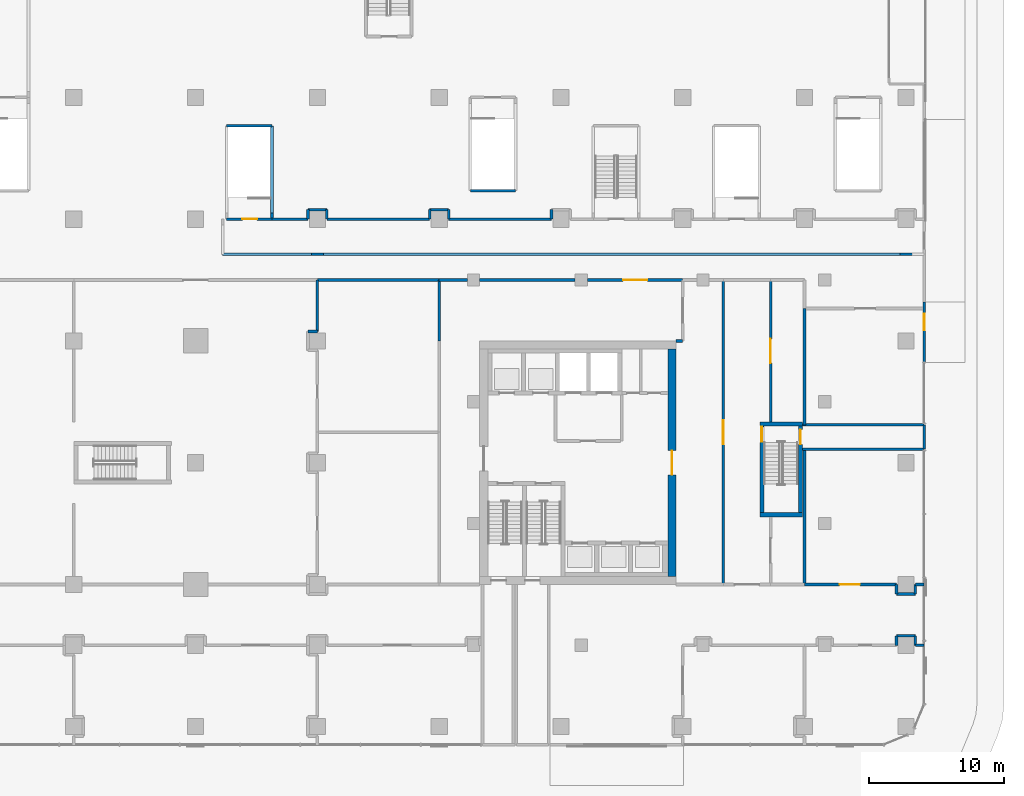
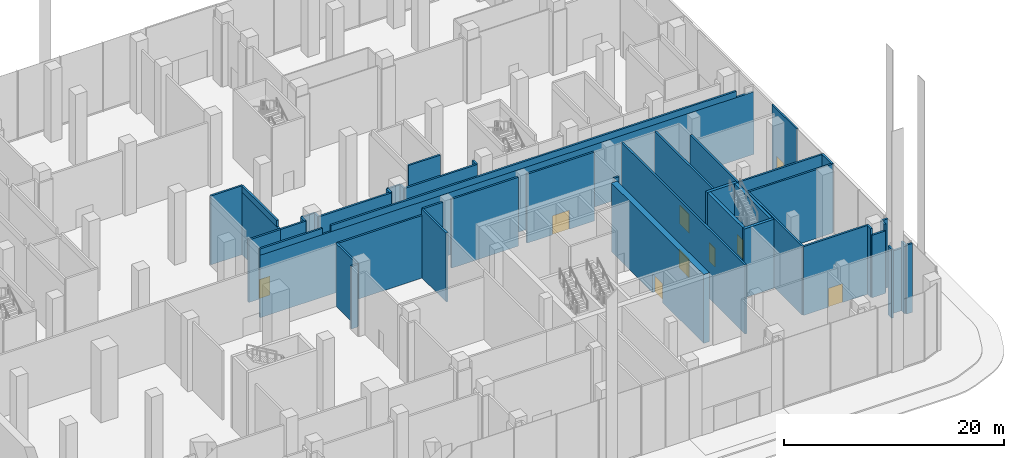
# One storey, part 23 of 42: 48 walls, 9 doors, 9 openings.
"""IFC4 building model written with IfcOpenShell, lengths in metres."""

import ifcopenshell
import ifcopenshell.guid

model = None  # the IFC model being written
_history = None  # IfcOwnerHistory: only IFC2X3 demands one
_inside = {}  # id of a spatial element -> (the spatial element, [elements in it])
_under = {}  # id of a project, library or spatial element -> (it, [spatial elements below it])
_declared = {}  # id of a project -> (the project, [libraries it declares])
_typed = {}  # id of a type object -> (the type object, [elements of that type])
_made_of = {}  # id of a material, layer set ... -> (it, [elements and type objects made of it])


def new_model(schema):
    """Start an empty IFC model of exactly this schema.

    Asked for "IFC4X3", IfcOpenShell would pick the latest addendum, in which some entities
    have other attributes; the version numbers below select the first issue.
    IFC2X3 requires an IfcOwnerHistory on every rooted entity: one is made here for all.
    """
    global model, _history
    if schema == "IFC4X3":
        model = ifcopenshell.file(schema_version=(4, 3, 0, 0))
    else:
        model = ifcopenshell.file(schema=schema)
    _inside.clear()
    _under.clear()
    _declared.clear()
    _typed.clear()
    _made_of.clear()
    _history = None
    if model.schema == "IFC2X3":
        org = make("IfcOrganization", Name="unknown")
        user = make(
            "IfcPersonAndOrganization",
            ThePerson=make("IfcPerson", FamilyName="unknown"),
            TheOrganization=org,
        )
        app = make(
            "IfcApplication",
            ApplicationDeveloper=org,
            Version="unknown",
            ApplicationFullName="unknown",
            ApplicationIdentifier="unknown",
        )
        _history = make(
            "IfcOwnerHistory",
            OwningUser=user,
            OwningApplication=app,
            ChangeAction="ADDED",
            CreationDate=0,
        )
    return model


def make(cls, **values):
    """One entity of the class cls with the attributes given. An attribute that is None is left unset."""
    return model.create_entity(
        cls, **{name: value for name, value in values.items() if value is not None}
    )


def rooted(cls, **values):
    """An entity with a GlobalId (a new one), such as an element, a storey or a relation."""
    return make(cls, GlobalId=ifcopenshell.guid.new(), OwnerHistory=_history, **values)


def si_unit(unit_type, name, prefix=None):
    """IfcSIUnit, for example si_unit("LENGTHUNIT", "METRE", prefix="MILLI")."""
    return make("IfcSIUnit", UnitType=unit_type, Prefix=prefix, Name=name)


def assignment(units):
    """IfcUnitAssignment: the units of a project."""
    return None if units is None else make("IfcUnitAssignment", Units=units)


def point(xyz):
    """IfcCartesianPoint."""
    return None if xyz is None else make("IfcCartesianPoint", Coordinates=xyz)


def direction(xyz):
    """IfcDirection."""
    return None if xyz is None else make("IfcDirection", DirectionRatios=xyz)


def frame(location, z_axis=None, x_axis=None):
    """IfcAxis2Placement3D, a coordinate frame: its origin and axes. An axis left out is left unset."""
    return make(
        "IfcAxis2Placement3D",
        Location=point(location),
        Axis=direction(z_axis),
        RefDirection=direction(x_axis),
    )


def frame_2d(location, x_axis=None):
    """IfcAxis2Placement2D, a coordinate frame in the plane: its origin and x axis."""
    return make(
        "IfcAxis2Placement2D", Location=point(location), RefDirection=direction(x_axis)
    )


def origin():
    """The frame at (0, 0, 0) with its axes left unset."""
    return frame((0.0, 0.0, 0.0))


def place(relative_to, where):
    """IfcLocalPlacement: puts the frame where relative to a parent placement (None: the world)."""
    return make(
        "IfcLocalPlacement", PlacementRelTo=relative_to, RelativePlacement=where
    )


def context(
    kind, dimensions, precision=None, world=None, true_north=None, identifier=None
):
    """IfcGeometricRepresentationContext, for example the 3D "Model" context."""
    return make(
        "IfcGeometricRepresentationContext",
        ContextIdentifier=identifier,
        ContextType=kind,
        CoordinateSpaceDimension=dimensions,
        Precision=precision,
        WorldCoordinateSystem=world,
        TrueNorth=true_north,
    )


def subcontext(parent, identifier, kind, view, scale=None):
    """IfcGeometricRepresentationSubContext, for example "Body" below "Model"."""
    return make(
        "IfcGeometricRepresentationSubContext",
        ContextIdentifier=identifier,
        ContextType=kind,
        ParentContext=parent,
        TargetScale=scale,
        TargetView=view,
    )


def project(units=None, contexts=None):
    """IfcProject with its units and contexts."""
    return rooted(
        "IfcProject",
        Name="project",
        RepresentationContexts=contexts,
        UnitsInContext=assignment(units),
    )


def spatial(cls, under=None, at=None, **own):
    """A site, building, storey or space (cls), placed at a placement, below another one or the project."""
    s = rooted(cls, ObjectPlacement=at, **own)
    if under is not None:
        _under.setdefault(under.id(), (under, []))[1].append(s)
    return s


def profile(cls, at=None, kind="AREA", **sizes):
    """A parametric profile (cls). Its sizes go by their IFC names, for example OverallWidth=200.0."""
    return make(cls, ProfileType=kind, Position=at, **sizes)


def rectangle(**sizes):
    """IfcRectangleProfileDef."""
    return profile("IfcRectangleProfileDef", **sizes)


def extrude(swept, where, along, depth):
    """IfcExtrudedAreaSolid: the profile swept, set in the frame where, extruded along a direction by depth."""
    return make(
        "IfcExtrudedAreaSolid",
        SweptArea=swept,
        Position=where,
        ExtrudedDirection=direction(along),
        Depth=depth,
    )


def shape(context_of_items, identifier, shape_type, items):
    """IfcShapeRepresentation: the items that make up one representation, for example the "Body"."""
    return make(
        "IfcShapeRepresentation",
        ContextOfItems=context_of_items,
        RepresentationIdentifier=identifier,
        RepresentationType=shape_type,
        Items=items,
    )


def material(Name=None, Category=None):
    """IfcMaterial."""
    return make("IfcMaterial", Name=Name, Category=Category)


def layer(
    of_material, thickness, ventilated=None, Name=None, Category=None, Priority=None
):
    """IfcMaterialLayer: one layer of a wall or slab, of a material (None: an air gap)."""
    return make(
        "IfcMaterialLayer",
        Material=of_material,
        LayerThickness=thickness,
        IsVentilated=ventilated,
        Name=Name,
        Category=Category,
        Priority=Priority,
    )


def layer_set(layers, Name=None):
    """IfcMaterialLayerSet."""
    return make("IfcMaterialLayerSet", MaterialLayers=layers, LayerSetName=Name)


def made_of(thing, what):
    """Note that an element or type object is made of a material, layer set ...; save() writes the relation."""
    if what is not None:
        _made_of.setdefault(what.id(), (what, []))[1].append(thing)
    return thing


def type_object(cls, material=None, **own):
    """A type object (cls), such as IfcWallType, which elements share."""
    return made_of(rooted(cls, **own), material)


def element(
    cls,
    number,
    at=None,
    inside=None,
    cuts=None,
    type_object=None,
    material=None,
    context=None,
    identifier="Body",
    shape_type=None,
    held_by="IfcProductDefinitionShape",
    body=None,
    shapes=None,
    **own,
):
    """One element of the class cls, such as IfcWall. Its Tag is "e" and its number.

    at: its placement. inside: the storey or other place that contains it. cuts: it is an
    opening in that element (IfcRelVoidsElement). A single representation is given by context,
    identifier, shape_type and body (its items); several are given by shapes. held_by: the class
    of the entity that holds the representations. save() writes the other relations.
    """
    e = rooted(cls, Tag="e%d" % number, ObjectPlacement=at, **own)
    if body is not None:
        shapes = [shape(context, identifier, shape_type, body)]
    if shapes is not None:
        e.Representation = make(held_by, Representations=shapes)
    if inside is not None:
        _inside.setdefault(inside.id(), (inside, []))[1].append(e)
    if cuts is not None:
        rooted(
            "IfcRelVoidsElement", RelatingBuildingElement=cuts, RelatedOpeningElement=e
        )
    if type_object is not None:
        _typed.setdefault(type_object.id(), (type_object, []))[1].append(e)
    return made_of(e, material)


def fill(opening, filler):
    """IfcRelFillsElement: the door or window that sits in an opening."""
    return rooted(
        "IfcRelFillsElement",
        RelatingOpeningElement=opening,
        RelatedBuildingElement=filler,
    )


def aggregate(whole, parts):
    """IfcRelAggregates: a whole, such as a stair, and the parts it consists of."""
    return rooted("IfcRelAggregates", RelatingObject=whole, RelatedObjects=parts)


def save(model, path):
    """Write the relations noted so far, then the file.

    IfcRelAggregates (storeys below a building ...), IfcRelContainedInSpatialStructure (elements
    in a storey), IfcRelDefinesByType, IfcRelAssociatesMaterial and IfcRelDeclares: one each for
    every whole, place, type object, material and project.
    """
    for whole, parts in _under.values():
        aggregate(whole, parts)
    for where, things in _inside.values():
        rooted(
            "IfcRelContainedInSpatialStructure",
            RelatedElements=things,
            RelatingStructure=where,
        )
    for kind, things in _typed.values():
        rooted("IfcRelDefinesByType", RelatedObjects=things, RelatingType=kind)
    for what, things in _made_of.values():
        rooted("IfcRelAssociatesMaterial", RelatedObjects=things, RelatingMaterial=what)
    for by, libraries in _declared.values():
        rooted("IfcRelDeclares", RelatingContext=by, RelatedDefinitions=libraries)
    model.write(path)


model = new_model("IFC4")

# Units and contexts
model_context = context("Model", 3, precision=1e-05, world=origin(), true_north=direction((0.0, 1.0)))
body_context = subcontext(model_context, "Body", "Model", "MODEL_VIEW")
ifc_project = project(units=[si_unit("LENGTHUNIT", "METRE"), si_unit("AREAUNIT", "SQUARE_METRE"), si_unit("VOLUMEUNIT", "CUBIC_METRE"), si_unit("PLANEANGLEUNIT", "RADIAN"), si_unit("MASSUNIT", "GRAM", prefix="KILO")], contexts=[model_context])

# Site, building, storey
site_placement = place(None, origin())
site = spatial("IfcSite", under=ifc_project, at=site_placement, CompositionType="ELEMENT")
building_placement = place(site_placement, origin())
building = spatial("IfcBuilding", under=site, at=building_placement, Name="Plateau Cross Towers", CompositionType="ELEMENT")
storey_placement = place(building_placement, origin())
storey = spatial("IfcBuildingStorey", under=building, at=storey_placement, Name="L00", CompositionType="ELEMENT", Elevation=0.0)

# Walls
ifc_material_1 = material(Name="Concrete block, plastered both sides", Category="concrete")
ifc_layer_1 = layer(ifc_material_1, 0.199951171875)
ifc_layer_set_1 = layer_set([ifc_layer_1], Name="Concrete block, plastered both sides")
wall_type_1 = type_object("IfcWallType", Name="Core partition 200", PredefinedType="PARTITIONING", material=ifc_layer_set_1)
for number, where, z_axis, x_axis, name in (
    (1, (98.85009765625, 10.0, 0.0), (0.0, 0.0, 1.0), (1.0, 0.0, 0.0), "Core partition"),
    (2, (98.85009765625, 11.800048828125, 0.0), (0.0, 0.0, 1.0), (1.0, 0.0, 0.0), "Core partition"),
):
    element("IfcWall", number, at=place(storey_placement, frame(where, z_axis=z_axis, x_axis=x_axis)), inside=storey, type_object=wall_type_1, Name=name, PredefinedType="PARTITIONING", context=body_context, shape_type="SweptSolid", body=[
        extrude(rectangle(XDim=9.0, YDim=0.199951171875, at=frame_2d((4.5, 0.0))), origin(), (0.0, 0.0, 1.0), 7.64990234375),
    ])
wall_1_placement = place(storey_placement, frame((107.85009765625, 10.0, 0.0), z_axis=(0.0, 0.0, 1.0), x_axis=(0.0, 1.0, 0.0)))
element("IfcWall", 3, at=wall_1_placement, inside=storey, type_object=wall_type_1, Name="Core partition", PredefinedType="PARTITIONING", context=body_context, shape_type="SweptSolid", body=[
    extrude(rectangle(XDim=1.800048828125, YDim=0.199951171875, at=frame_2d((0.89990234375, 0.0))), origin(), (0.0, 0.0, 1.0), 7.64990234375),
])

# Wall, opening, door
ifc_material_2 = material(Name="Concrete C60/75", Category="concrete")
ifc_layer_2 = layer(ifc_material_2, 0.300048828125)
ifc_layer_set_2 = layer_set([ifc_layer_2], Name="Concrete C60/75")
wall_type_2 = type_object("IfcWallType", Name="Core shaft wall 300", PredefinedType="SHEAR", material=ifc_layer_set_2)
wall_2_placement = place(storey_placement, frame((95.85009765625, 5.300048828125, 0.0), z_axis=(0.0, 0.0, 1.0), x_axis=(0.0, 1.0, 0.0)))
wall_2 = element("IfcWall", 4, at=wall_2_placement, inside=storey, type_object=wall_type_2, Name="B-sb3-W@L00", PredefinedType="SHEAR", context=body_context, shape_type="SweptSolid", body=[
    extrude(rectangle(XDim=6.39990234375, YDim=0.300048828125, at=frame_2d((3.199951171875, 0.0))), origin(), (0.0, 0.0, 1.0), 7.64990234375),
])
opening_1_placement = place(wall_2_placement, frame((5.25, 0.0, 0.0)))
opening_1 = element("IfcOpeningElement", 5, at=opening_1_placement, cuts=wall_2, Name="Opening SD", PredefinedType="OPENING", context=body_context, shape_type="SweptSolid", body=[
    extrude(rectangle(XDim=1.10009765625, YDim=2.10009765625, at=frame_2d((0.550048828125, 1.050048828125))), frame((0.0, 0.159912109375, 0.0), z_axis=(0.0, -1.0, 0.0), x_axis=(1.0, 0.0, 0.0)), (0.0, 0.0, 1.0), 0.320068359375),
])
ifc_material_3 = material(Name="Steel, fire-resisting leaf", Category="steel")
door_type_1 = type_object("IfcDoorType", Name="Stair door 1100", OperationType="NOTDEFINED", PredefinedType="DOOR", material=ifc_material_3)
door_1_placement = place(opening_1_placement, origin())
door_1 = element("IfcDoor", 6, at=door_1_placement, inside=storey, type_object=door_type_1, Name="Stair door SD", OperationType="SINGLE_SWING_LEFT", OverallHeight=2.10009765625, OverallWidth=1.10009765625, PredefinedType="DOOR", context=body_context, shape_type="SweptSolid", body=[
    extrude(rectangle(XDim=1.10009765625, YDim=2.10009765625, at=frame_2d((0.550048828125, 1.050048828125))), frame((0.0, 0.02490234375, 0.0), z_axis=(0.0, -1.0, 0.0), x_axis=(1.0, 0.0, 0.0)), (0.0, 0.0, 1.0), 0.050048828125),
])
fill(opening_1, door_1)

wall_3_placement = place(storey_placement, frame((98.699951171875, 5.300048828125, 0.0), z_axis=(0.0, 0.0, 1.0), x_axis=(0.0, 1.0, 0.0)))
wall_3 = element("IfcWall", 7, at=wall_3_placement, inside=storey, type_object=wall_type_2, Name="B-sb3-E@L00", PredefinedType="SHEAR", context=body_context, shape_type="SweptSolid", body=[
    extrude(rectangle(XDim=6.39990234375, YDim=0.300048828125, at=frame_2d((3.199951171875, 0.0))), origin(), (0.0, 0.0, 1.0), 7.64990234375),
])
opening_2_placement = place(wall_3_placement, frame((5.050048828125, 0.0, 0.0)))
opening_2 = element("IfcOpeningElement", 8, at=opening_2_placement, cuts=wall_3, Name="Opening XD", PredefinedType="OPENING", context=body_context, shape_type="SweptSolid", body=[
    extrude(rectangle(XDim=1.10009765625, YDim=2.10009765625, at=frame_2d((0.550048828125, 1.050048828125))), frame((0.0, 0.159912109375, 0.0), z_axis=(0.0, -1.0, 0.0), x_axis=(1.0, 0.0, 0.0)), (0.0, 0.0, 1.0), 0.320068359375),
])
door_type_2 = type_object("IfcDoorType", Name="Exit door 1100", OperationType="NOTDEFINED", PredefinedType="DOOR", material=ifc_material_3)
door_2_placement = place(opening_2_placement, origin())
door_2 = element("IfcDoor", 9, at=door_2_placement, inside=storey, type_object=door_type_2, Name="Exit door XD", OperationType="SINGLE_SWING_LEFT", OverallHeight=2.10009765625, OverallWidth=1.10009765625, PredefinedType="DOOR", context=body_context, shape_type="SweptSolid", body=[
    extrude(rectangle(XDim=1.10009765625, YDim=2.10009765625, at=frame_2d((0.550048828125, 1.050048828125))), frame((0.0, 0.02490234375, 0.0), z_axis=(0.0, -1.0, 0.0), x_axis=(1.0, 0.0, 0.0)), (0.0, 0.0, 1.0), 0.050048828125),
])
fill(opening_2, door_2)

# Walls
for number, where, z_axis, x_axis, name in (
    (10, (95.699951171875, 5.14990234375, 0.0), (0.0, 0.0, 1.0), (1.0, 0.0, 0.0), "B-sb3-S@L00"),
    (11, (95.699951171875, 11.85009765625, 0.0), (0.0, 0.0, 1.0), (1.0, 0.0, 0.0), "B-sb3-N@L00"),
):
    element("IfcWall", number, at=place(storey_placement, frame(where, z_axis=z_axis, x_axis=x_axis)), inside=storey, type_object=wall_type_2, Name=name, PredefinedType="SHEAR", context=body_context, shape_type="SweptSolid", body=[
        extrude(rectangle(XDim=3.150146484375, YDim=0.300048828125, at=frame_2d((1.5751953125, 0.0))), origin(), (0.0, 0.0, 1.0), 7.64990234375),
    ])

# Wall, opening, door
ifc_layer_3 = layer(ifc_material_2, 0.60009765625)
ifc_layer_set_3 = layer_set([ifc_layer_3], Name="Concrete C60/75")
wall_type_3 = type_object("IfcWallType", Name="Core shell wall 600", PredefinedType="SHEAR", material=ifc_layer_set_3)
wall_4_placement = place(storey_placement, frame((89.199951171875, 0.60009765625, 0.0), z_axis=(0.0, 0.0, 1.0), x_axis=(0.0, 1.0, 0.0)))
wall_4 = element("IfcWall", 12, at=wall_4_placement, inside=storey, type_object=wall_type_3, Name="B-core-E@L00", PredefinedType="SHEAR", context=body_context, shape_type="SweptSolid", body=[
    extrude(rectangle(XDim=16.7998046875, YDim=0.60009765625, at=frame_2d((8.39990234375, 0.0))), origin(), (0.0, 0.0, 1.0), 7.64990234375),
])
opening_3_placement = place(wall_4_placement, frame((7.5, 0.0, 0.0)))
opening_3 = element("IfcOpeningElement", 13, at=opening_3_placement, cuts=wall_4, Name="Opening CD", PredefinedType="OPENING", context=body_context, shape_type="SweptSolid", body=[
    extrude(rectangle(XDim=1.800048828125, YDim=2.10009765625, at=frame_2d((0.89990234375, 1.050048828125))), frame((0.0, 0.31005859375, 0.0), z_axis=(0.0, -1.0, 0.0), x_axis=(1.0, 0.0, 0.0)), (0.0, 0.0, 1.0), 0.6201171875),
])
ifc_material_4 = material(Name="Steel, fire-resisting leaves", Category="steel")
door_type_3 = type_object("IfcDoorType", Name="Corridor door pair 1800", OperationType="NOTDEFINED", PredefinedType="DOOR", material=ifc_material_4)
door_3_placement = place(opening_3_placement, origin())
door_3 = element("IfcDoor", 14, at=door_3_placement, inside=storey, type_object=door_type_3, Name="Corridor door pair CD", OperationType="DOUBLE_DOOR_SINGLE_SWING", OverallHeight=2.10009765625, OverallWidth=1.800048828125, PredefinedType="DOOR", context=body_context, shape_type="SweptSolid", body=[
    extrude(rectangle(XDim=1.800048828125, YDim=2.10009765625, at=frame_2d((0.89990234375, 1.050048828125))), frame((0.0, 0.02490234375, 0.0), z_axis=(0.0, -1.0, 0.0), x_axis=(1.0, 0.0, 0.0)), (0.0, 0.0, 1.0), 0.050048828125),
])
fill(opening_3, door_3)

ifc_material_5 = material(Name="Aluminium framed glazing", Category="aluminium")
ifc_layer_4 = layer(ifc_material_5, 0.159912109375)
ifc_layer_set_4 = layer_set([ifc_layer_4], Name="Aluminium framed glazing")
wall_type_4 = type_object("IfcWallType", Name="Entrance screen wall 160", PredefinedType="STANDARD", material=ifc_layer_set_4)
wall_5_placement = place(storey_placement, frame((107.85009765625, 20.889892578125, 0.0), z_axis=(0.0, 0.0, 1.0), x_axis=(0.0, -1.0, 0.0)))
wall_5 = element("IfcWall", 15, at=wall_5_placement, inside=storey, type_object=wall_type_4, Name="Service service-E screen wall", PredefinedType="STANDARD", context=body_context, shape_type="SweptSolid", body=[
    extrude(rectangle(XDim=4.494873046875, YDim=0.159912109375, at=frame_2d((2.24755859375, 0.0))), origin(), (0.0, 0.0, 1.0), 7.64990234375),
])
opening_4_placement = place(wall_5_placement, frame((0.8974609375, 0.0, 0.0)))
opening_4 = element("IfcOpeningElement", 16, at=opening_4_placement, cuts=wall_5, Name="Opening XD4", PredefinedType="OPENING", context=body_context, shape_type="SweptSolid", body=[
    extrude(rectangle(XDim=1.199951171875, YDim=2.39990234375, at=frame_2d((0.60009765625, 1.199951171875))), frame((0.0, 0.08984375, 0.0), z_axis=(0.0, -1.0, 0.0), x_axis=(1.0, 0.0, 0.0)), (0.0, 0.0, 1.0), 0.179931640625),
])
ifc_material_6 = material(Name="Steel S355", Category="steel")
door_type_4 = type_object("IfcDoorType", Name="Service door single leaf 1200x2400", OperationType="SINGLE_SWING_LEFT", PredefinedType="DOOR", material=ifc_material_6)
door_4_placement = place(opening_4_placement, origin())
door_4 = element("IfcDoor", 17, at=door_4_placement, inside=storey, type_object=door_type_4, Name="Service service-E door", OperationType="SINGLE_SWING_LEFT", OverallHeight=2.39990234375, OverallWidth=1.199951171875, PredefinedType="DOOR", context=body_context, shape_type="SweptSolid", body=[
    extrude(rectangle(XDim=1.199951171875, YDim=2.39990234375, at=frame_2d((0.60009765625, 1.199951171875))), frame((0.0, 0.02490234375, 0.0), z_axis=(0.0, -1.0, 0.0), x_axis=(1.0, 0.0, 0.0)), (0.0, 0.0, 1.0), 0.050048828125),
])
fill(opening_4, door_4)

ifc_material_7 = material(Name="Gypsum board on steel studs, two layers each side", Category="steel")
ifc_layer_5 = layer(ifc_material_7, 0.199951171875)
ifc_layer_set_5 = layer_set([ifc_layer_5], Name="Gypsum board on steel studs, two layers each side")
wall_type_5 = type_object("IfcWallType", Name="Podium compartment wall 200", PredefinedType="PARTITIONING", material=ifc_layer_set_5)
wall_6_placement = place(storey_placement, frame((99.0, 0.0, 0.0), z_axis=(0.0, 0.0, 1.0), x_axis=(1.0, 0.0, 0.0)))
wall_6 = element("IfcWall", 18, at=wall_6_placement, inside=storey, type_object=wall_type_5, Name="Partition wall", PredefinedType="PARTITIONING", context=body_context, shape_type="SweptSolid", body=[
    extrude(rectangle(XDim=6.800048828125, YDim=0.199951171875, at=frame_2d((3.39990234375, 0.0))), origin(), (0.0, 0.0, 1.0), 7.64990234375),
])
opening_5_placement = place(wall_6_placement, frame((2.60009765625, 0.0, 0.0)))
opening_5 = element("IfcOpeningElement", 19, at=opening_5_placement, cuts=wall_6, Name="Opening 00-22", PredefinedType="OPENING", context=body_context, shape_type="SweptSolid", body=[
    extrude(rectangle(XDim=1.5, YDim=2.10009765625, at=frame_2d((0.75, 1.050048828125))), frame((0.0, 0.10986328125, 0.0), z_axis=(0.0, -1.0, 0.0), x_axis=(1.0, 0.0, 0.0)), (0.0, 0.0, 1.0), 0.219970703125),
])
ifc_material_8 = material(Name="Steel, fire-resisting leaf, washable finish", Category="steel")
door_type_5 = type_object("IfcDoorType", Name="Refuse room door 1500x2100", OperationType="NOTDEFINED", PredefinedType="DOOR", material=ifc_material_8)
door_5_placement = place(opening_5_placement, origin())
door_5 = element("IfcDoor", 20, at=door_5_placement, inside=storey, type_object=door_type_5, Name="Door 00-22", OperationType="SINGLE_SWING_LEFT", OverallHeight=2.10009765625, OverallWidth=1.5, PredefinedType="DOOR", context=body_context, shape_type="SweptSolid", body=[
    extrude(rectangle(XDim=1.5, YDim=2.10009765625, at=frame_2d((0.75, 1.050048828125))), frame((0.0, 0.02490234375, 0.0), z_axis=(0.0, -1.0, 0.0), x_axis=(1.0, 0.0, 0.0)), (0.0, 0.0, 1.0), 0.050048828125),
])
fill(opening_5, door_5)

ifc_material_9 = material(Name="Gypsum board on steel studs", Category="steel")
ifc_layer_6 = layer(ifc_material_9, 0.199951171875)
ifc_layer_set_6 = layer_set([ifc_layer_6], Name="Gypsum board on steel studs")
wall_type_6 = type_object("IfcWallType", Name="Podium partition 200", PredefinedType="PARTITIONING", material=ifc_layer_set_6)
wall_7_placement = place(storey_placement, frame((93.0, 22.5, 0.0), z_axis=(0.0, 0.0, 1.0), x_axis=(0.0, -1.0, 0.0)))
wall_7 = element("IfcWall", 21, at=wall_7_placement, inside=storey, type_object=wall_type_6, Name="Partition wall", PredefinedType="PARTITIONING", context=body_context, shape_type="SweptSolid", body=[
    extrude(rectangle(XDim=22.5, YDim=0.199951171875, at=frame_2d((11.25, 0.0))), origin(), (0.0, 0.0, 1.0), 7.64990234375),
])
opening_6_placement = place(wall_7_placement, frame((10.35009765625, 0.0, 0.0)))
opening_6 = element("IfcOpeningElement", 22, at=opening_6_placement, cuts=wall_7, Name="Opening 00-34", PredefinedType="OPENING", context=body_context, shape_type="SweptSolid", body=[
    extrude(rectangle(XDim=1.800048828125, YDim=2.10009765625, at=frame_2d((0.89990234375, 1.050048828125))), frame((0.0, 0.10986328125, 0.0), z_axis=(0.0, -1.0, 0.0), x_axis=(1.0, 0.0, 0.0)), (0.0, 0.0, 1.0), 0.219970703125),
])
ifc_material_10 = material(Name="Aluminium frame, toughened glass", Category="aluminium")
door_type_6 = type_object("IfcDoorType", Name="Podium door pair 1800", OperationType="NOTDEFINED", PredefinedType="DOOR", material=ifc_material_10)
door_6_placement = place(opening_6_placement, origin())
door_6 = element("IfcDoor", 23, at=door_6_placement, inside=storey, type_object=door_type_6, Name="Door 00-34", OperationType="DOUBLE_DOOR_SINGLE_SWING", OverallHeight=2.10009765625, OverallWidth=1.800048828125, PredefinedType="DOOR", context=body_context, shape_type="SweptSolid", body=[
    extrude(rectangle(XDim=1.800048828125, YDim=2.10009765625, at=frame_2d((0.89990234375, 1.050048828125))), frame((0.0, 0.02490234375, 0.0), z_axis=(0.0, -1.0, 0.0), x_axis=(1.0, 0.0, 0.0)), (0.0, 0.0, 1.0), 0.050048828125),
])
fill(opening_6, door_6)

wall_8_placement = place(storey_placement, frame((90.0, 22.5, 0.0), z_axis=(0.0, 0.0, 1.0), x_axis=(-1.0, 0.0, 0.0)))
wall_8 = element("IfcWall", 24, at=wall_8_placement, inside=storey, type_object=wall_type_6, Name="Partition wall", PredefinedType="PARTITIONING", context=body_context, shape_type="SweptSolid", body=[
    extrude(rectangle(XDim=7.050048828125, YDim=0.199951171875, at=frame_2d((3.52490234375, 0.0))), origin(), (0.0, 0.0, 1.0), 7.64990234375),
])
opening_7_placement = place(wall_8_placement, frame((2.60009765625, 0.0, 0.0)))
opening_7 = element("IfcOpeningElement", 25, at=opening_7_placement, cuts=wall_8, Name="Opening 00-36", PredefinedType="OPENING", context=body_context, shape_type="SweptSolid", body=[
    extrude(rectangle(XDim=1.800048828125, YDim=2.10009765625, at=frame_2d((0.89990234375, 1.050048828125))), frame((0.0, 0.10986328125, 0.0), z_axis=(0.0, -1.0, 0.0), x_axis=(1.0, 0.0, 0.0)), (0.0, 0.0, 1.0), 0.219970703125),
])
door_7_placement = place(opening_7_placement, origin())
door_7 = element("IfcDoor", 26, at=door_7_placement, inside=storey, type_object=door_type_6, Name="Door 00-36", OperationType="DOUBLE_DOOR_SINGLE_SWING", OverallHeight=2.10009765625, OverallWidth=1.800048828125, PredefinedType="DOOR", context=body_context, shape_type="SweptSolid", body=[
    extrude(rectangle(XDim=1.800048828125, YDim=2.10009765625, at=frame_2d((0.89990234375, 1.050048828125))), frame((0.0, 0.02490234375, 0.0), z_axis=(0.0, -1.0, 0.0), x_axis=(1.0, 0.0, 0.0)), (0.0, 0.0, 1.0), 0.050048828125),
])
fill(opening_7, door_7)

# Walls
wall_9_placement = place(storey_placement, frame((82.050048828125, 22.5, 0.0), z_axis=(0.0, 0.0, 1.0), x_axis=(-1.0, 0.0, 0.0)))
element("IfcWall", 27, at=wall_9_placement, inside=storey, type_object=wall_type_6, Name="Partition wall", PredefinedType="PARTITIONING", context=body_context, shape_type="SweptSolid", body=[
    extrude(rectangle(XDim=7.050048828125, YDim=0.199951171875, at=frame_2d((3.52490234375, 0.0))), origin(), (0.0, 0.0, 1.0), 7.64990234375),
])
wall_10_placement = place(storey_placement, frame((74.10009765625, 22.5, 0.0), z_axis=(0.0, 0.0, 1.0), x_axis=(-1.0, 0.0, 0.0)))
element("IfcWall", 28, at=wall_10_placement, inside=storey, type_object=wall_type_6, Name="Partition wall", PredefinedType="PARTITIONING", context=body_context, shape_type="SweptSolid", body=[
    extrude(rectangle(XDim=2.10009765625, YDim=0.199951171875, at=frame_2d((1.050048828125, 0.0))), origin(), (0.0, 0.0, 1.0), 7.64990234375),
])
wall_11_placement = place(storey_placement, frame((63.0, 22.5, 0.0), z_axis=(0.0, 0.0, 1.0), x_axis=(0.0, -1.0, 0.0)))
element("IfcWall", 29, at=wall_11_placement, inside=storey, type_object=wall_type_6, Name="Partition wall", PredefinedType="PARTITIONING", context=body_context, shape_type="SweptSolid", body=[
    extrude(rectangle(XDim=3.800048828125, YDim=0.199951171875, at=frame_2d((1.89990234375, 0.0))), origin(), (0.0, 0.0, 1.0), 6.949951171875),
])
wall_12_placement = place(storey_placement, frame((63.0, 18.699951171875, 0.0), z_axis=(0.0, 0.0, 1.0), x_axis=(-1.0, 0.0, 0.0)))
element("IfcWall", 30, at=wall_12_placement, inside=storey, type_object=wall_type_6, Name="Partition wall", PredefinedType="PARTITIONING", context=body_context, shape_type="SweptSolid", body=[
    extrude(rectangle(XDim=0.699951171875, YDim=0.199951171875, at=frame_2d((0.35009765625, 0.0))), origin(), (0.0, 0.0, 1.0), 6.949951171875),
])
wall_13_placement = place(storey_placement, frame((107.85009765625, -4.5, 0.0), z_axis=(0.0, 0.0, 1.0), x_axis=(-1.0, 0.0, 0.0)))
element("IfcWall", 31, at=wall_13_placement, inside=storey, type_object=wall_type_6, Name="Partition wall", PredefinedType="PARTITIONING", context=body_context, shape_type="SweptSolid", body=[
    extrude(rectangle(XDim=0.650146484375, YDim=0.199951171875, at=frame_2d((0.3251953125, 0.0))), origin(), (0.0, 0.0, 1.0), 7.64990234375),
])
wall_14_placement = place(storey_placement, frame((107.199951171875, -4.5, 0.0), z_axis=(0.0, 0.0, 1.0), x_axis=(0.0, 1.0, 0.0)))
element("IfcWall", 32, at=wall_14_placement, inside=storey, type_object=wall_type_6, Name="Partition wall", PredefinedType="PARTITIONING", context=body_context, shape_type="SweptSolid", body=[
    extrude(rectangle(XDim=0.699951171875, YDim=0.199951171875, at=frame_2d((0.35009765625, 0.0))), origin(), (0.0, 0.0, 1.0), 7.64990234375),
])
wall_15_placement = place(storey_placement, frame((107.199951171875, -3.800048828125, 0.0), z_axis=(0.0, 0.0, 1.0), x_axis=(-1.0, 0.0, 0.0)))
element("IfcWall", 33, at=wall_15_placement, inside=storey, type_object=wall_type_6, Name="Partition wall", PredefinedType="PARTITIONING", context=body_context, shape_type="SweptSolid", body=[
    extrude(rectangle(XDim=1.39990234375, YDim=0.199951171875, at=frame_2d((0.699951171875, 0.0))), origin(), (0.0, 0.0, 1.0), 6.949951171875),
])
wall_16_placement = place(storey_placement, frame((105.800048828125, -3.800048828125, 0.0), z_axis=(0.0, 0.0, 1.0), x_axis=(0.0, -1.0, 0.0)))
element("IfcWall", 34, at=wall_16_placement, inside=storey, type_object=wall_type_6, Name="Partition wall", PredefinedType="PARTITIONING", context=body_context, shape_type="SweptSolid", body=[
    extrude(rectangle(XDim=0.699951171875, YDim=0.199951171875, at=frame_2d((0.35009765625, 0.0))), origin(), (0.0, 0.0, 1.0), 7.64990234375),
])
wall_17_placement = place(storey_placement, frame((72.0, 18.0, 0.0), z_axis=(0.0, 0.0, 1.0), x_axis=(0.0, 1.0, 0.0)))
element("IfcWall", 35, at=wall_17_placement, inside=storey, type_object=wall_type_6, Name="Partition wall", PredefinedType="PARTITIONING", context=body_context, shape_type="SweptSolid", body=[
    extrude(rectangle(XDim=4.5, YDim=0.199951171875, at=frame_2d((2.25, 0.0))), origin(), (0.0, 0.0, 1.0), 7.64990234375),
])

# Wall, opening, door
wall_18_placement = place(storey_placement, frame((96.5, 22.5, 0.0), z_axis=(0.0, 0.0, 1.0), x_axis=(0.0, -1.0, 0.0)))
wall_18 = element("IfcWall", 36, at=wall_18_placement, inside=storey, type_object=wall_type_6, Name="Partition wall", PredefinedType="PARTITIONING", context=body_context, shape_type="SweptSolid", body=[
    extrude(rectangle(XDim=10.5, YDim=0.199951171875, at=frame_2d((5.25, 0.0))), origin(), (0.0, 0.0, 1.0), 7.64990234375),
])
opening_8_placement = place(wall_18_placement, frame((4.35009765625, 0.0, 0.0)))
opening_8 = element("IfcOpeningElement", 37, at=opening_8_placement, cuts=wall_18, Name="Opening 00-38", PredefinedType="OPENING", context=body_context, shape_type="SweptSolid", body=[
    extrude(rectangle(XDim=1.800048828125, YDim=2.10009765625, at=frame_2d((0.89990234375, 1.050048828125))), frame((0.0, 0.10986328125, 0.0), z_axis=(0.0, -1.0, 0.0), x_axis=(1.0, 0.0, 0.0)), (0.0, 0.0, 1.0), 0.219970703125),
])
door_8_placement = place(opening_8_placement, origin())
door_8 = element("IfcDoor", 38, at=door_8_placement, inside=storey, type_object=door_type_6, Name="Door 00-38", OperationType="DOUBLE_DOOR_SINGLE_SWING", OverallHeight=2.10009765625, OverallWidth=1.800048828125, PredefinedType="DOOR", context=body_context, shape_type="SweptSolid", body=[
    extrude(rectangle(XDim=1.800048828125, YDim=2.10009765625, at=frame_2d((0.89990234375, 1.050048828125))), frame((0.0, 0.02490234375, 0.0), z_axis=(0.0, -1.0, 0.0), x_axis=(1.0, 0.0, 0.0)), (0.0, 0.0, 1.0), 0.050048828125),
])
fill(opening_8, door_8)

# Walls
wall_19_placement = place(storey_placement, frame((105.800048828125, 0.0, 0.0), z_axis=(0.0, 0.0, 1.0), x_axis=(0.0, -1.0, 0.0)))
element("IfcWall", 39, at=wall_19_placement, inside=storey, type_object=wall_type_6, Name="Partition wall", PredefinedType="PARTITIONING", context=body_context, shape_type="SweptSolid", body=[
    extrude(rectangle(XDim=0.699951171875, YDim=0.199951171875, at=frame_2d((0.35009765625, 0.0))), origin(), (0.0, 0.0, 1.0), 7.64990234375),
])
wall_20_placement = place(storey_placement, frame((105.800048828125, -0.699951171875, 0.0), z_axis=(0.0, 0.0, 1.0), x_axis=(1.0, 0.0, 0.0)))
element("IfcWall", 40, at=wall_20_placement, inside=storey, type_object=wall_type_6, Name="Partition wall", PredefinedType="PARTITIONING", context=body_context, shape_type="SweptSolid", body=[
    extrude(rectangle(XDim=1.39990234375, YDim=0.199951171875, at=frame_2d((0.699951171875, 0.0))), origin(), (0.0, 0.0, 1.0), 6.949951171875),
])
wall_21_placement = place(storey_placement, frame((107.199951171875, -0.699951171875, 0.0), z_axis=(0.0, 0.0, 1.0), x_axis=(0.0, 1.0, 0.0)))
element("IfcWall", 41, at=wall_21_placement, inside=storey, type_object=wall_type_6, Name="Partition wall", PredefinedType="PARTITIONING", context=body_context, shape_type="SweptSolid", body=[
    extrude(rectangle(XDim=0.699951171875, YDim=0.199951171875, at=frame_2d((0.35009765625, 0.0))), origin(), (0.0, 0.0, 1.0), 7.64990234375),
])
wall_22_placement = place(storey_placement, frame((107.199951171875, 0.0, 0.0), z_axis=(0.0, 0.0, 1.0), x_axis=(1.0, 0.0, 0.0)))
element("IfcWall", 42, at=wall_22_placement, inside=storey, type_object=wall_type_6, Name="Partition wall", PredefinedType="PARTITIONING", context=body_context, shape_type="SweptSolid", body=[
    extrude(rectangle(XDim=0.650146484375, YDim=0.199951171875, at=frame_2d((0.3251953125, 0.0))), origin(), (0.0, 0.0, 1.0), 7.64990234375),
])
wall_23_placement = place(storey_placement, frame((99.0, 10.0, 0.0), z_axis=(0.0, 0.0, 1.0), x_axis=(0.0, -1.0, 0.0)))
element("IfcWall", 43, at=wall_23_placement, inside=storey, type_object=wall_type_6, Name="Partition wall", PredefinedType="PARTITIONING", context=body_context, shape_type="SweptSolid", body=[
    extrude(rectangle(XDim=10.0, YDim=0.199951171875, at=frame_2d((5.0, 0.0))), origin(), (0.0, 0.0, 1.0), 7.64990234375),
])
wall_24_placement = place(storey_placement, frame((72.0, 22.5, 0.0), z_axis=(0.0, 0.0, 1.0), x_axis=(-1.0, 0.0, 0.0)))
element("IfcWall", 44, at=wall_24_placement, inside=storey, type_object=wall_type_6, Name="Partition wall", PredefinedType="PARTITIONING", context=body_context, shape_type="SweptSolid", body=[
    extrude(rectangle(XDim=9.0, YDim=0.199951171875, at=frame_2d((4.5, 0.0))), origin(), (0.0, 0.0, 1.0), 6.949951171875),
])
wall_25_placement = place(storey_placement, frame((99.0, 20.39990234375, 0.0), z_axis=(0.0, 0.0, 1.0), x_axis=(0.0, -1.0, 0.0)))
element("IfcWall", 45, at=wall_25_placement, inside=storey, type_object=wall_type_6, Name="Partition wall", PredefinedType="PARTITIONING", context=body_context, shape_type="SweptSolid", body=[
    extrude(rectangle(XDim=8.599853515625, YDim=0.199951171875, at=frame_2d((4.2998046875, 0.0))), origin(), (0.0, 0.0, 1.0), 7.64990234375),
])
wall_26_placement = place(storey_placement, frame((90.0, 18.0, 0.0), z_axis=(0.0, 0.0, 1.0), x_axis=(-1.0, 0.0, 0.0)))
element("IfcWall", 46, at=wall_26_placement, inside=storey, type_object=wall_type_6, Name="Partition wall", PredefinedType="PARTITIONING", context=body_context, shape_type="SweptSolid", body=[
    extrude(rectangle(XDim=0.5, YDim=0.199951171875, at=frame_2d((0.25, 0.0))), origin(), (0.0, 0.0, 1.0), 7.64990234375),
])
ifc_material_11 = material(Name="Fire-rated plasterboard shaft wall system")
ifc_layer_7 = layer(ifc_material_11, 0.199951171875)
ifc_layer_set_7 = layer_set([ifc_layer_7], Name="Fire-rated plasterboard shaft wall system")
wall_type_7 = type_object("IfcWallType", Name="Podium stair shaft wall 200", PredefinedType="PARTITIONING", material=ifc_layer_set_7)
wall_27_placement = place(storey_placement, frame((107.85009765625, 24.39990234375, 0.0), z_axis=(0.0, 0.0, 1.0), x_axis=(-1.0, 0.0, 0.0)))
element("IfcWall", 47, at=wall_27_placement, inside=storey, type_object=wall_type_7, Name="Partition wall", PredefinedType="PARTITIONING", context=body_context, shape_type="SweptSolid", body=[
    extrude(rectangle(XDim=51.85009765625, YDim=0.199951171875, at=frame_2d((25.925048828125, 0.0))), origin(), (0.0, 0.0, 1.0), 6.949951171875),
])
wall_28_placement = place(storey_placement, frame((59.64990234375, 27.0, 0.0), z_axis=(0.0, 0.0, 1.0), x_axis=(1.0, 0.0, 0.0)))
element("IfcWall", 48, at=wall_28_placement, inside=storey, type_object=wall_type_7, Name="Partition wall", PredefinedType="PARTITIONING", context=body_context, shape_type="SweptSolid", body=[
    extrude(rectangle(XDim=2.650146484375, YDim=0.199951171875, at=frame_2d((1.3251953125, 0.0))), origin(), (0.0, 0.0, 1.0), 6.949951171875),
])
wall_29_placement = place(storey_placement, frame((62.300048828125, 27.0, 0.0), z_axis=(0.0, 0.0, 1.0), x_axis=(0.0, 1.0, 0.0)))
element("IfcWall", 49, at=wall_29_placement, inside=storey, type_object=wall_type_7, Name="Partition wall", PredefinedType="PARTITIONING", context=body_context, shape_type="SweptSolid", body=[
    extrude(rectangle(XDim=0.699951171875, YDim=0.199951171875, at=frame_2d((0.35009765625, 0.0))), origin(), (0.0, 0.0, 1.0), 6.949951171875),
])
wall_30_placement = place(storey_placement, frame((62.300048828125, 27.699951171875, 0.0), z_axis=(0.0, 0.0, 1.0), x_axis=(1.0, 0.0, 0.0)))
element("IfcWall", 50, at=wall_30_placement, inside=storey, type_object=wall_type_7, Name="Partition wall", PredefinedType="PARTITIONING", context=body_context, shape_type="SweptSolid", body=[
    extrude(rectangle(XDim=1.39990234375, YDim=0.199951171875, at=frame_2d((0.699951171875, 0.0))), origin(), (0.0, 0.0, 1.0), 6.949951171875),
])
wall_31_placement = place(storey_placement, frame((63.699951171875, 27.699951171875, 0.0), z_axis=(0.0, 0.0, 1.0), x_axis=(0.0, -1.0, 0.0)))
element("IfcWall", 51, at=wall_31_placement, inside=storey, type_object=wall_type_7, Name="Partition wall", PredefinedType="PARTITIONING", context=body_context, shape_type="SweptSolid", body=[
    extrude(rectangle(XDim=0.699951171875, YDim=0.199951171875, at=frame_2d((0.35009765625, 0.0))), origin(), (0.0, 0.0, 1.0), 6.949951171875),
])
wall_32_placement = place(storey_placement, frame((63.699951171875, 27.0, 0.0), z_axis=(0.0, 0.0, 1.0), x_axis=(1.0, 0.0, 0.0)))
element("IfcWall", 52, at=wall_32_placement, inside=storey, type_object=wall_type_7, Name="Partition wall", PredefinedType="PARTITIONING", context=body_context, shape_type="SweptSolid", body=[
    extrude(rectangle(XDim=7.60009765625, YDim=0.199951171875, at=frame_2d((3.800048828125, 0.0))), origin(), (0.0, 0.0, 1.0), 6.949951171875),
])
wall_33_placement = place(storey_placement, frame((71.300048828125, 27.0, 0.0), z_axis=(0.0, 0.0, 1.0), x_axis=(0.0, 1.0, 0.0)))
element("IfcWall", 53, at=wall_33_placement, inside=storey, type_object=wall_type_7, Name="Partition wall", PredefinedType="PARTITIONING", context=body_context, shape_type="SweptSolid", body=[
    extrude(rectangle(XDim=0.699951171875, YDim=0.199951171875, at=frame_2d((0.35009765625, 0.0))), origin(), (0.0, 0.0, 1.0), 6.949951171875),
])
wall_34_placement = place(storey_placement, frame((71.300048828125, 27.699951171875, 0.0), z_axis=(0.0, 0.0, 1.0), x_axis=(1.0, 0.0, 0.0)))
element("IfcWall", 54, at=wall_34_placement, inside=storey, type_object=wall_type_7, Name="Partition wall", PredefinedType="PARTITIONING", context=body_context, shape_type="SweptSolid", body=[
    extrude(rectangle(XDim=1.39990234375, YDim=0.199951171875, at=frame_2d((0.699951171875, 0.0))), origin(), (0.0, 0.0, 1.0), 6.949951171875),
])
wall_35_placement = place(storey_placement, frame((72.699951171875, 27.699951171875, 0.0), z_axis=(0.0, 0.0, 1.0), x_axis=(0.0, -1.0, 0.0)))
element("IfcWall", 55, at=wall_35_placement, inside=storey, type_object=wall_type_7, Name="Partition wall", PredefinedType="PARTITIONING", context=body_context, shape_type="SweptSolid", body=[
    extrude(rectangle(XDim=0.699951171875, YDim=0.199951171875, at=frame_2d((0.35009765625, 0.0))), origin(), (0.0, 0.0, 1.0), 6.949951171875),
])
wall_36_placement = place(storey_placement, frame((72.699951171875, 27.0, 0.0), z_axis=(0.0, 0.0, 1.0), x_axis=(1.0, 0.0, 0.0)))
element("IfcWall", 56, at=wall_36_placement, inside=storey, type_object=wall_type_7, Name="Partition wall", PredefinedType="PARTITIONING", context=body_context, shape_type="SweptSolid", body=[
    extrude(rectangle(XDim=7.60009765625, YDim=0.199951171875, at=frame_2d((3.800048828125, 0.0))), origin(), (0.0, 0.0, 1.0), 6.949951171875),
])
wall_37_placement = place(storey_placement, frame((80.300048828125, 27.0, 0.0), z_axis=(0.0, 0.0, 1.0), x_axis=(0.0, 1.0, 0.0)))
element("IfcWall", 57, at=wall_37_placement, inside=storey, type_object=wall_type_7, Name="Partition wall", PredefinedType="PARTITIONING", context=body_context, shape_type="SweptSolid", body=[
    extrude(rectangle(XDim=0.699951171875, YDim=0.199951171875, at=frame_2d((0.35009765625, 0.0))), origin(), (0.0, 0.0, 1.0), 6.949951171875),
])
for number, where, z_axis, x_axis, name in (
    (58, (77.64990234375, 29.10009765625, 0.0), (0.0, 0.0, 1.0), (-1.0, 0.0, 0.0), "Partition wall"),
    (59, (56.300048828125, 33.89990234375, 0.0), (0.0, 0.0, 1.0), (1.0, 0.0, 0.0), "Partition wall"),
):
    element("IfcWall", number, at=place(storey_placement, frame(where, z_axis=z_axis, x_axis=x_axis)), inside=storey, type_object=wall_type_7, Name=name, PredefinedType="PARTITIONING", context=body_context, shape_type="SweptSolid", body=[
        extrude(rectangle(XDim=3.349853515625, YDim=0.199951171875, at=frame_2d((1.6748046875, 0.0))), origin(), (0.0, 0.0, 1.0), 7.64990234375),
    ])
wall_38_placement = place(storey_placement, frame((59.64990234375, 33.89990234375, 0.0), z_axis=(0.0, 0.0, 1.0), x_axis=(0.0, -1.0, 0.0)))
element("IfcWall", 60, at=wall_38_placement, inside=storey, type_object=wall_type_7, Name="Partition wall", PredefinedType="PARTITIONING", context=body_context, shape_type="SweptSolid", body=[
    extrude(rectangle(XDim=6.89990234375, YDim=0.199951171875, at=frame_2d((3.449951171875, 0.0))), origin(), (0.0, 0.0, 1.0), 6.949951171875),
])

# Wall, opening, door
wall_39_placement = place(storey_placement, frame((59.64990234375, 27.0, 0.0), z_axis=(0.0, 0.0, 1.0), x_axis=(-1.0, 0.0, 0.0)))
wall_39 = element("IfcWall", 61, at=wall_39_placement, inside=storey, type_object=wall_type_7, Name="Partition wall", PredefinedType="PARTITIONING", context=body_context, shape_type="SweptSolid", body=[
    extrude(rectangle(XDim=3.349853515625, YDim=0.199951171875, at=frame_2d((1.6748046875, 0.0))), origin(), (0.0, 0.0, 1.0), 6.949951171875),
])
opening_9_placement = place(wall_39_placement, frame((1.10009765625, 0.0, 0.0)))
opening_9 = element("IfcOpeningElement", 62, at=opening_9_placement, cuts=wall_39, Name="Opening 00-03", PredefinedType="OPENING", context=body_context, shape_type="SweptSolid", body=[
    extrude(rectangle(XDim=1.10009765625, YDim=2.10009765625, at=frame_2d((0.550048828125, 1.050048828125))), frame((0.0, 0.10986328125, 0.0), z_axis=(0.0, -1.0, 0.0), x_axis=(1.0, 0.0, 0.0)), (0.0, 0.0, 1.0), 0.219970703125),
])
door_type_7 = type_object("IfcDoorType", Name="Podium stair door 1100", OperationType="NOTDEFINED", PredefinedType="DOOR", material=ifc_material_3)
door_9_placement = place(opening_9_placement, origin())
door_9 = element("IfcDoor", 63, at=door_9_placement, inside=storey, type_object=door_type_7, Name="Door 00-03", OperationType="SINGLE_SWING_LEFT", OverallHeight=2.10009765625, OverallWidth=1.10009765625, PredefinedType="DOOR", context=body_context, shape_type="SweptSolid", body=[
    extrude(rectangle(XDim=1.10009765625, YDim=2.10009765625, at=frame_2d((0.550048828125, 1.050048828125))), frame((0.0, 0.02490234375, 0.0), z_axis=(0.0, -1.0, 0.0), x_axis=(1.0, 0.0, 0.0)), (0.0, 0.0, 1.0), 0.050048828125),
])
fill(opening_9, door_9)

# Walls
wall_40_placement = place(storey_placement, frame((106.050048828125, 24.39990234375, 6.949951171875), z_axis=(0.0, 0.0, 1.0), x_axis=(-1.0, 0.0, 0.0)))
element("IfcWall", 64, at=wall_40_placement, inside=storey, type_object=wall_type_7, Name="Partition wall head", PredefinedType="PARTITIONING", context=body_context, shape_type="SweptSolid", body=[
    extrude(rectangle(XDim=42.60009765625, YDim=0.199951171875, at=frame_2d((21.300048828125, 0.0))), origin(), (0.0, 0.0, 1.0), 0.699951171875),
])
wall_41_placement = place(storey_placement, frame((62.550048828125, 24.39990234375, 6.949951171875), z_axis=(0.0, 0.0, 1.0), x_axis=(-1.0, 0.0, 0.0)))
element("IfcWall", 65, at=wall_41_placement, inside=storey, type_object=wall_type_7, Name="Partition wall head", PredefinedType="PARTITIONING", context=body_context, shape_type="SweptSolid", body=[
    extrude(rectangle(XDim=6.550048828125, YDim=0.199951171875, at=frame_2d((3.27490234375, 0.0))), origin(), (0.0, 0.0, 1.0), 0.699951171875),
])
wall_42_placement = place(storey_placement, frame((59.64990234375, 33.89990234375, 6.949951171875), z_axis=(0.0, 0.0, 1.0), x_axis=(0.0, -1.0, 0.0)))
element("IfcWall", 66, at=wall_42_placement, inside=storey, type_object=wall_type_7, Name="Partition wall head", PredefinedType="PARTITIONING", context=body_context, shape_type="SweptSolid", body=[
    extrude(rectangle(XDim=6.449951171875, YDim=0.199951171875, at=frame_2d((3.22509765625, 0.0))), origin(), (0.0, 0.0, 1.0), 0.699951171875),
])

save(model, "model.ifc")
